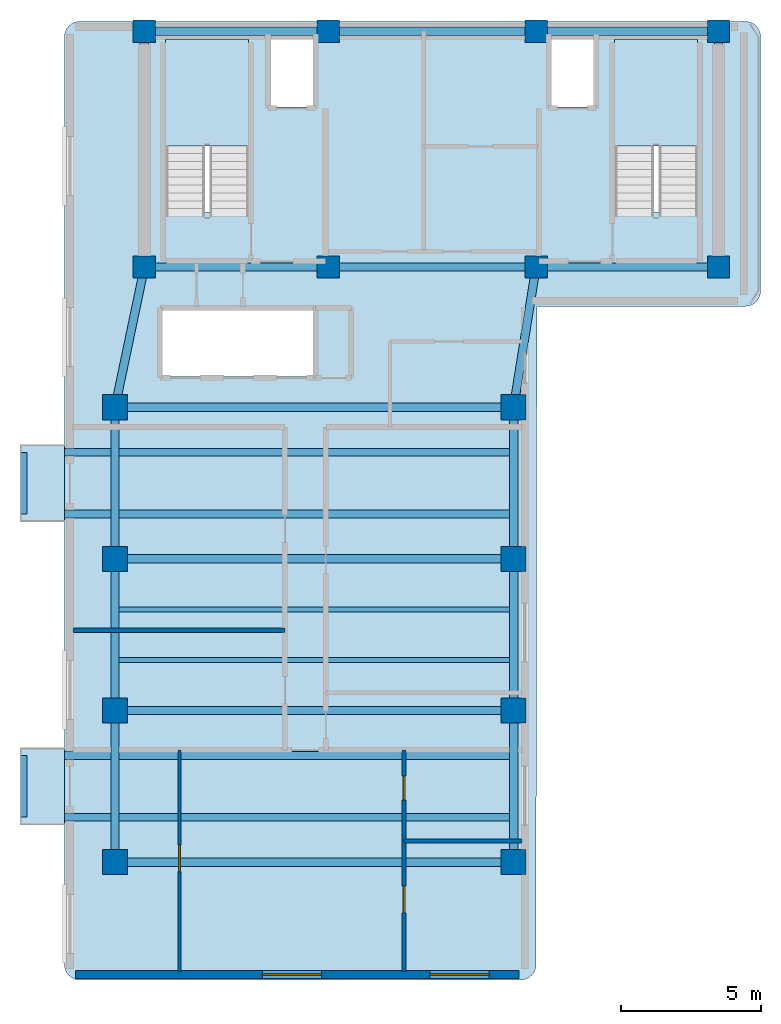
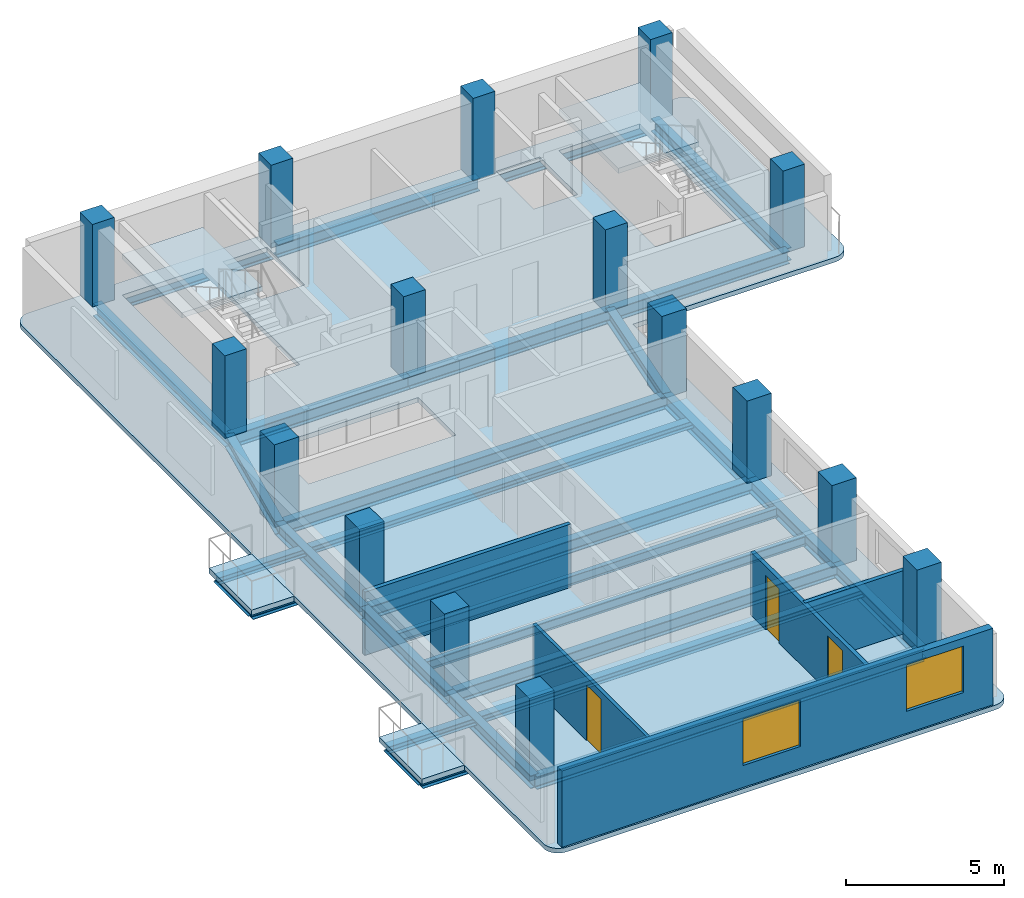
# One storey, part 1 of 5: 28 beams, 16 columns, 5 slabs, 5 walls, 3 doors, 2 windows, 5 openings, 2 elements without a shape of their own.
"""IFC4 building model written with IfcOpenShell, lengths in metres."""

from ifc_helpers import new_model, si_unit, direction, frame, frame_2d, origin, origin_2d, place, context, subcontext, project, spatial, polyline, rectangle, i_section, outline, extrude, material, layer, layer_set, material_profile, profile_set, type_object, element, fill, aggregate, save


model = new_model("IFC4")

# Units and contexts
model_context = context("Model", 3, precision=1e-05, world=origin(), true_north=direction((0.0, 1.0)))
body_context = subcontext(model_context, "Body", "Model", "MODEL_VIEW")
ifc_project = project(units=[si_unit("LENGTHUNIT", "METRE"), si_unit("AREAUNIT", "SQUARE_METRE"), si_unit("VOLUMEUNIT", "CUBIC_METRE"), si_unit("PLANEANGLEUNIT", "RADIAN"), si_unit("MASSUNIT", "GRAM", prefix="KILO")], contexts=[model_context])

# Site, building, storey
site_placement = place(None, origin())
site = spatial("IfcSite", under=ifc_project, at=site_placement, CompositionType="ELEMENT")
building_placement = place(site_placement, origin())
building = spatial("IfcBuilding", under=site, at=building_placement, Name="Kuzgunbayir Cultural Tower", CompositionType="ELEMENT")
storey_placement = place(building_placement, frame((0.0, 0.0, 211.199951171875)))
storey = spatial("IfcBuildingStorey", under=building, at=storey_placement, Name="L62", CompositionType="ELEMENT", Elevation=211.199951171875)

# Columns
ifc_material_1 = material(Name="Concrete C50/60", Category="concrete")
ifc_material_profile_1 = material_profile(ifc_material_1, rectangle(XDim=0.800048828125, YDim=0.800048828125, at=origin_2d()), Name="RC 800x800")
ifc_profile_set_1 = profile_set([ifc_material_profile_1], Name="Concrete C50/60")
column_type_1 = type_object("IfcColumnType", Name="COL-CORE-800", PredefinedType="COLUMN", material=ifc_profile_set_1)
for number, where, z_axis, x_axis, name in (
    (1, (6.449951171875, 33.800048828125, 0.0), (0.0, 0.0, 1.0), (1.0, 0.0, 0.0), "L62 T1 Core Boundary Column CC1-1"),
    (2, (13.0, 33.800048828125, 0.0), (0.0, 0.0, 1.0), (1.0, 0.0, 0.0), "L62 T1 Core Boundary Column CC1-2"),
    (3, (20.39990234375, 33.800048828125, 0.0), (0.0, 0.0, 1.0), (1.0, 0.0, 0.0), "L62 T1 Core Boundary Column CC1-3"),
    (4, (26.89990234375, 33.800048828125, 0.0), (0.0, 0.0, 1.0), (1.0, 0.0, 0.0), "L62 T1 Core Boundary Column CC1-4"),
    (5, (6.449951171875, 42.199951171875, 0.0), (0.0, 0.0, 1.0), (1.0, 0.0, 0.0), "L62 T1 Core Boundary Column CC1-5"),
    (6, (13.0, 42.199951171875, 0.0), (0.0, 0.0, 1.0), (1.0, 0.0, 0.0), "L62 T1 Core Boundary Column CC1-6"),
    (7, (20.39990234375, 42.199951171875, 0.0), (0.0, 0.0, 1.0), (1.0, 0.0, 0.0), "L62 T1 Core Boundary Column CC1-7"),
    (8, (26.89990234375, 42.199951171875, 0.0), (0.0, 0.0, 1.0), (1.0, 0.0, 0.0), "L62 T1 Core Boundary Column CC1-8"),
):
    element("IfcColumn", number, at=place(storey_placement, frame(where, z_axis=z_axis, x_axis=x_axis)), inside=storey, type_object=column_type_1, Name=name, PredefinedType="COLUMN", context=body_context, shape_type="SweptSolid", body=[
        extrude(rectangle(XDim=0.800048828125, YDim=0.800048828125, at=origin_2d()), origin(), (0.0, 0.0, 1.0), 3.199951171875),
    ])
ifc_material_profile_2 = material_profile(ifc_material_1, rectangle(XDim=0.89990234375, YDim=0.89990234375, at=origin_2d()), Name="RC 900x900")
ifc_profile_set_2 = profile_set([ifc_material_profile_2], Name="Concrete C50/60")
column_type_2 = type_object("IfcColumnType", Name="COL-T1-900", PredefinedType="COLUMN", material=ifc_profile_set_2)
for number, where, z_axis, x_axis, name in (
    (9, (5.39990234375, 12.60009765625, 0.0), (0.0, 0.0, 1.0), (1.0, 0.0, 0.0), "L62 Tower 1 Wing A Column T1A-W-1"),
    (10, (19.60009765625, 12.60009765625, 0.0), (0.0, 0.0, 1.0), (1.0, 0.0, 0.0), "L62 Tower 1 Wing A Column T1A-E-1"),
    (11, (5.39990234375, 18.0, 0.0), (0.0, 0.0, 1.0), (1.0, 0.0, 0.0), "L62 Tower 1 Wing A Column T1A-W-2"),
    (12, (19.60009765625, 18.0, 0.0), (0.0, 0.0, 1.0), (1.0, 0.0, 0.0), "L62 Tower 1 Wing A Column T1A-E-2"),
    (13, (5.39990234375, 23.39990234375, 0.0), (0.0, 0.0, 1.0), (1.0, 0.0, 0.0), "L62 Tower 1 Wing A Column T1A-W-3"),
    (14, (19.60009765625, 23.39990234375, 0.0), (0.0, 0.0, 1.0), (1.0, 0.0, 0.0), "L62 Tower 1 Wing A Column T1A-E-3"),
    (15, (5.39990234375, 28.800048828125, 0.0), (0.0, 0.0, 1.0), (1.0, 0.0, 0.0), "L62 Tower 1 Wing A Column T1A-W-4"),
    (16, (19.60009765625, 28.800048828125, 0.0), (0.0, 0.0, 1.0), (1.0, 0.0, 0.0), "L62 Tower 1 Wing A Column T1A-E-4"),
):
    element("IfcColumn", number, at=place(storey_placement, frame(where, z_axis=z_axis, x_axis=x_axis)), inside=storey, type_object=column_type_2, Name=name, PredefinedType="COLUMN", context=body_context, shape_type="SweptSolid", body=[
        extrude(rectangle(XDim=0.89990234375, YDim=0.89990234375, at=origin_2d()), origin(), (0.0, 0.0, 1.0), 3.199951171875),
    ])

# Beams
ifc_material_2 = material(Name="Steel S355J2", Category="steel")
ifc_material_profile_3 = material_profile(ifc_material_2, i_section(OverallWidth=0.280029296875, OverallDepth=0.280029296875, WebThickness=0.010498046875, FlangeThickness=0.01806640625, FilletRadius=0.02392578125, at=origin_2d()), Name="HEB 280")
ifc_profile_set_3 = profile_set([ifc_material_profile_3], Name="Steel S355J2")
beam_type_1 = type_object("IfcBeamType", Name="BM-BAL-HEB280", PredefinedType="BEAM", material=ifc_profile_set_3)
for number, where, z_axis, x_axis, name in (
    (17, (2.159912109375, 14.199951171875, -0.33984375), (1.0, 0.0, 0.0), (0.0, 1.0, 0.0), "L62 Balcony Outrigger Beam BAL-L62-WA1.1"),
    (18, (2.159912109375, 16.39990234375, -0.33984375), (1.0, 0.0, 0.0), (0.0, 1.0, 0.0), "L62 Balcony Outrigger Beam BAL-L62-WA1.2"),
    (19, (2.159912109375, 25.0, -0.33984375), (1.0, 0.0, 0.0), (0.0, 1.0, 0.0), "L62 Balcony Outrigger Beam BAL-L62-WA3.1"),
    (20, (2.159912109375, 27.199951171875, -0.33984375), (1.0, 0.0, 0.0), (0.0, 1.0, 0.0), "L62 Balcony Outrigger Beam BAL-L62-WA3.2"),
):
    element("IfcBeam", number, at=place(storey_placement, frame(where, z_axis=z_axis, x_axis=x_axis)), inside=storey, type_object=beam_type_1, Name=name, PredefinedType="BEAM", context=body_context, shape_type="SweptSolid", body=[
        extrude(i_section(OverallWidth=0.280029296875, OverallDepth=0.280029296875, WebThickness=0.010498046875, FlangeThickness=0.01806640625, FilletRadius=0.02392578125, at=origin_2d()), origin(), (0.0, 0.0, 1.0), 17.440185546875),
    ])
ifc_material_profile_4 = material_profile(ifc_material_2, i_section(OverallWidth=0.199951171875, OverallDepth=0.199951171875, WebThickness=0.009033203125, FlangeThickness=0.014892578125, FilletRadius=0.01806640625, at=origin_2d()), Name="HEB 200")
ifc_profile_set_4 = profile_set([ifc_material_profile_4], Name="Steel S355J2")
beam_type_2 = type_object("IfcBeamType", Name="BM-CAN-HEB200", PredefinedType="BEAM", material=ifc_profile_set_4)
for number, where, z_axis, x_axis, name in (
    (21, (2.159912109375, 14.199951171875, -0.300048828125), (0.0, 1.0, 0.0), (-1.0, 0.0, 0.0), "L62 Balcony Edge Header BAL-L62-WA1"),
    (22, (2.159912109375, 25.0, -0.300048828125), (0.0, 1.0, 0.0), (-1.0, 0.0, 0.0), "L62 Balcony Edge Header BAL-L62-WA3"),
):
    element("IfcBeam", number, at=place(storey_placement, frame(where, z_axis=z_axis, x_axis=x_axis)), inside=storey, type_object=beam_type_2, Name=name, PredefinedType="BEAM", context=body_context, shape_type="SweptSolid", body=[
        extrude(i_section(OverallWidth=0.199951171875, OverallDepth=0.199951171875, WebThickness=0.009033203125, FlangeThickness=0.014892578125, FilletRadius=0.01806640625, at=origin_2d()), origin(), (0.0, 0.0, 1.0), 2.199951171875),
    ])
ifc_material_profile_5 = material_profile(ifc_material_2, i_section(OverallWidth=0.300048828125, OverallDepth=0.5, WebThickness=0.014404296875, FlangeThickness=0.028076171875, FilletRadius=0.027099609375, at=origin_2d()), Name="HEB 500")
ifc_profile_set_5 = profile_set([ifc_material_profile_5], Name="Steel S355J2")
beam_type_3 = type_object("IfcBeamType", Name="BM-EXT-HEB500", PredefinedType="BEAM", material=ifc_profile_set_5)
for number, where, z_axis, x_axis, name in (
    (23, (5.39990234375, 12.60009765625, -0.429931640625), (0.0, 1.0, 0.0), (-1.0, 0.0, 0.0), "L62 Wing A West Girder 1"),
    (24, (19.60009765625, 12.60009765625, -0.429931640625), (0.0, 1.0, 0.0), (-1.0, 0.0, 0.0), "L62 Wing A East Girder 1"),
    (25, (5.39990234375, 18.0, -0.429931640625), (0.0, 1.0, 0.0), (-1.0, 0.0, 0.0), "L62 Wing A West Girder 2"),
    (26, (19.60009765625, 18.0, -0.429931640625), (0.0, 1.0, 0.0), (-1.0, 0.0, 0.0), "L62 Wing A East Girder 2"),
):
    element("IfcBeam", number, at=place(storey_placement, frame(where, z_axis=z_axis, x_axis=x_axis)), inside=storey, type_object=beam_type_3, Name=name, PredefinedType="BEAM", context=body_context, shape_type="SweptSolid", body=[
        extrude(i_section(OverallWidth=0.300048828125, OverallDepth=0.5, WebThickness=0.014404296875, FlangeThickness=0.028076171875, FilletRadius=0.027099609375, at=origin_2d()), origin(), (0.0, 0.0, 1.0), 5.39990234375),
    ])
for number, where, z_axis, x_axis, name in (
    (27, (5.39990234375, 23.39990234375, -0.429931640625), (0.0, 1.0, 0.0), (-1.0, 0.0, 0.0), "L62 Wing A West Girder 3"),
    (28, (19.60009765625, 23.39990234375, -0.429931640625), (0.0, 1.0, 0.0), (-1.0, 0.0, 0.0), "L62 Wing A East Girder 3"),
):
    element("IfcBeam", number, at=place(storey_placement, frame(where, z_axis=z_axis, x_axis=x_axis)), inside=storey, type_object=beam_type_3, Name=name, PredefinedType="BEAM", context=body_context, shape_type="SweptSolid", body=[
        extrude(i_section(OverallWidth=0.300048828125, OverallDepth=0.5, WebThickness=0.014404296875, FlangeThickness=0.028076171875, FilletRadius=0.027099609375, at=origin_2d()), origin(), (0.0, 0.0, 1.0), 5.400146484375),
    ])
ifc_material_profile_6 = material_profile(ifc_material_2, i_section(OverallWidth=0.300048828125, OverallDepth=0.5, WebThickness=0.014404296875, FlangeThickness=0.028076171875, FilletRadius=0.027099609375, at=origin_2d()), Name="HEB 500")
ifc_profile_set_6 = profile_set([ifc_material_profile_6], Name="Steel S355J2")
beam_type_4 = type_object("IfcBeamType", Name="BM-GIR-HEB500", PredefinedType="BEAM", material=ifc_profile_set_6)
beam_1_placement = place(storey_placement, frame((6.449951171875, 33.800048828125, -0.429931640625), z_axis=(1.0, 0.0, 0.0), x_axis=(0.0, 1.0, 0.0)))
element("IfcBeam", 29, at=beam_1_placement, inside=storey, type_object=beam_type_4, Name="L62 Core South Girder 1", PredefinedType="BEAM", context=body_context, shape_type="SweptSolid", body=[
    extrude(i_section(OverallWidth=0.300048828125, OverallDepth=0.5, WebThickness=0.014404296875, FlangeThickness=0.028076171875, FilletRadius=0.027099609375, at=origin_2d()), origin(), (0.0, 0.0, 1.0), 6.550048828125),
])
beam_2_placement = place(storey_placement, frame((13.0, 33.800048828125, -0.429931640625), z_axis=(1.0, 0.0, 0.0), x_axis=(0.0, 1.0, 0.0)))
element("IfcBeam", 30, at=beam_2_placement, inside=storey, type_object=beam_type_4, Name="L62 Core South Girder 2", PredefinedType="BEAM", context=body_context, shape_type="SweptSolid", body=[
    extrude(i_section(OverallWidth=0.300048828125, OverallDepth=0.5, WebThickness=0.014404296875, FlangeThickness=0.028076171875, FilletRadius=0.027099609375, at=origin_2d()), origin(), (0.0, 0.0, 1.0), 7.39990234375),
])
beam_3_placement = place(storey_placement, frame((20.39990234375, 33.800048828125, -0.429931640625), z_axis=(1.0, 0.0, 0.0), x_axis=(0.0, 1.0, 0.0)))
element("IfcBeam", 31, at=beam_3_placement, inside=storey, type_object=beam_type_4, Name="L62 Core South Girder 3", PredefinedType="BEAM", context=body_context, shape_type="SweptSolid", body=[
    extrude(i_section(OverallWidth=0.300048828125, OverallDepth=0.5, WebThickness=0.014404296875, FlangeThickness=0.028076171875, FilletRadius=0.027099609375, at=origin_2d()), origin(), (0.0, 0.0, 1.0), 6.5),
])
beam_4_placement = place(storey_placement, frame((6.449951171875, 42.199951171875, -0.429931640625), z_axis=(1.0, 0.0, 0.0), x_axis=(0.0, 1.0, 0.0)))
element("IfcBeam", 32, at=beam_4_placement, inside=storey, type_object=beam_type_4, Name="L62 Core North Girder 1", PredefinedType="BEAM", context=body_context, shape_type="SweptSolid", body=[
    extrude(i_section(OverallWidth=0.300048828125, OverallDepth=0.5, WebThickness=0.014404296875, FlangeThickness=0.028076171875, FilletRadius=0.027099609375, at=origin_2d()), origin(), (0.0, 0.0, 1.0), 6.550048828125),
])
beam_5_placement = place(storey_placement, frame((13.0, 42.199951171875, -0.429931640625), z_axis=(1.0, 0.0, 0.0), x_axis=(0.0, 1.0, 0.0)))
element("IfcBeam", 33, at=beam_5_placement, inside=storey, type_object=beam_type_4, Name="L62 Core North Girder 2", PredefinedType="BEAM", context=body_context, shape_type="SweptSolid", body=[
    extrude(i_section(OverallWidth=0.300048828125, OverallDepth=0.5, WebThickness=0.014404296875, FlangeThickness=0.028076171875, FilletRadius=0.027099609375, at=origin_2d()), origin(), (0.0, 0.0, 1.0), 7.39990234375),
])
beam_6_placement = place(storey_placement, frame((20.39990234375, 42.199951171875, -0.429931640625), z_axis=(1.0, 0.0, 0.0), x_axis=(0.0, 1.0, 0.0)))
element("IfcBeam", 34, at=beam_6_placement, inside=storey, type_object=beam_type_4, Name="L62 Core North Girder 3", PredefinedType="BEAM", context=body_context, shape_type="SweptSolid", body=[
    extrude(i_section(OverallWidth=0.300048828125, OverallDepth=0.5, WebThickness=0.014404296875, FlangeThickness=0.028076171875, FilletRadius=0.027099609375, at=origin_2d()), origin(), (0.0, 0.0, 1.0), 6.5),
])
for number, where, z_axis, x_axis, name in (
    (35, (6.449951171875, 33.800048828125, -0.429931640625), (0.0, 1.0, 0.0), (-1.0, 0.0, 0.0), "L62 Core West Edge Girder"),
    (36, (26.89990234375, 33.800048828125, -0.429931640625), (0.0, 1.0, 0.0), (-1.0, 0.0, 0.0), "L62 Core East Edge Girder"),
):
    element("IfcBeam", number, at=place(storey_placement, frame(where, z_axis=z_axis, x_axis=x_axis)), inside=storey, type_object=beam_type_4, Name=name, PredefinedType="BEAM", context=body_context, shape_type="SweptSolid", body=[
        extrude(i_section(OverallWidth=0.300048828125, OverallDepth=0.5, WebThickness=0.014404296875, FlangeThickness=0.028076171875, FilletRadius=0.027099609375, at=origin_2d()), origin(), (0.0, 0.0, 1.0), 8.39990234375),
    ])
for number, where, z_axis, x_axis, name in (
    (37, (5.39990234375, 12.60009765625, -0.429931640625), (1.0, 0.0, 0.0), (0.0, 1.0, 0.0), "L62 Wing A Transverse Girder 1"),
    (38, (5.39990234375, 18.0, -0.429931640625), (1.0, 0.0, 0.0), (0.0, 1.0, 0.0), "L62 Wing A Transverse Girder 2"),
    (39, (5.39990234375, 23.39990234375, -0.429931640625), (1.0, 0.0, 0.0), (0.0, 1.0, 0.0), "L62 Wing A Transverse Girder 3"),
    (40, (5.39990234375, 28.800048828125, -0.429931640625), (1.0, 0.0, 0.0), (0.0, 1.0, 0.0), "L62 Wing A Transverse Girder 4"),
):
    element("IfcBeam", number, at=place(storey_placement, frame(where, z_axis=z_axis, x_axis=x_axis)), inside=storey, type_object=beam_type_4, Name=name, PredefinedType="BEAM", context=body_context, shape_type="SweptSolid", body=[
        extrude(i_section(OverallWidth=0.300048828125, OverallDepth=0.5, WebThickness=0.014404296875, FlangeThickness=0.028076171875, FilletRadius=0.027099609375, at=origin_2d()), origin(), (0.0, 0.0, 1.0), 14.2001953125),
    ])
beam_7_placement = place(storey_placement, frame((5.39990234375, 28.800048828125, -0.429931640625), z_axis=(0.205526387753, 0.978651574329, 0.0), x_axis=(-0.978651574329, 0.205526387753, 0.0)))
element("IfcBeam", 41, at=beam_7_placement, inside=storey, type_object=beam_type_4, Name="L62 Wing A West Core Floor Girder", PredefinedType="BEAM", context=body_context, shape_type="SweptSolid", body=[
    extrude(i_section(OverallWidth=0.300048828125, OverallDepth=0.5, WebThickness=0.014404296875, FlangeThickness=0.028076171875, FilletRadius=0.027099609375, at=origin_2d()), origin(), (0.0, 0.0, 1.0), 5.109130859375),
])
beam_8_placement = place(storey_placement, frame((19.60009765625, 28.800048828125, -0.429931640625), z_axis=(0.157952891656, 0.987446648694, 0.0), x_axis=(-0.987446648694, 0.157952891656, 0.0)))
element("IfcBeam", 42, at=beam_8_placement, inside=storey, type_object=beam_type_4, Name="L62 Wing A East Core Floor Girder", PredefinedType="BEAM", context=body_context, shape_type="SweptSolid", body=[
    extrude(i_section(OverallWidth=0.300048828125, OverallDepth=0.5, WebThickness=0.014404296875, FlangeThickness=0.028076171875, FilletRadius=0.027099609375, at=origin_2d()), origin(), (0.0, 0.0, 1.0), 5.0634765625),
])
ifc_material_profile_7 = material_profile(ifc_material_2, i_section(OverallWidth=0.169921875, OverallDepth=0.360107421875, WebThickness=0.008056640625, FlangeThickness=0.0126953125, FilletRadius=0.01806640625, at=origin_2d()), Name="IPE 360")
ifc_profile_set_7 = profile_set([ifc_material_profile_7], Name="Steel S355J2")
beam_type_5 = type_object("IfcBeamType", Name="BM-JST-IPE360", PredefinedType="JOIST", material=ifc_profile_set_7)
for number, where, z_axis, x_axis, name in (
    (43, (5.550048828125, 19.800048828125, -0.35986328125), (1.0, 0.0, 0.0), (0.0, 1.0, 0.0), "L62 Wing A Secondary Joist 3"),
    (44, (5.550048828125, 21.60009765625, -0.35986328125), (1.0, 0.0, 0.0), (0.0, 1.0, 0.0), "L62 Wing A Secondary Joist 4"),
):
    element("IfcBeam", number, at=place(storey_placement, frame(where, z_axis=z_axis, x_axis=x_axis)), inside=storey, type_object=beam_type_5, Name=name, PredefinedType="JOIST", context=body_context, shape_type="SweptSolid", body=[
        extrude(i_section(OverallWidth=0.169921875, OverallDepth=0.360107421875, WebThickness=0.008056640625, FlangeThickness=0.0126953125, FilletRadius=0.01806640625, at=origin_2d()), origin(), (0.0, 0.0, 1.0), 13.89990234375),
    ])

# Slabs
ifc_material_3 = material(Name="Concrete C40/50", Category="concrete")
ifc_layer_1 = layer(ifc_material_3, 0.199951171875)
ifc_layer_set_1 = layer_set([ifc_layer_1], Name="Concrete C40/50")
slab_type_1 = type_object("IfcSlabType", Name="SLB-BAL-STONE", PredefinedType="FLOOR", material=ifc_layer_set_1)
slab_1_placement = place(storey_placement, frame((0.0, 0.0, -0.199951171875)))
element("IfcSlab", 45, at=slab_1_placement, inside=storey, type_object=slab_type_1, Name="L62 Projecting Limestone Balcony BAL-L62-WA1", PredefinedType="FLOOR", context=body_context, shape_type="SweptSolid", body=[
    extrude(outline(polyline([(2.0400390625, 13.949951171875), (3.60009765625, 13.949951171875), (3.60009765625, 16.64990234375), (2.0400390625, 16.64990234375), (2.0400390625, 13.949951171875)])), origin(), (0.0, 0.0, 1.0), 0.199951171875),
])
slab_2_placement = place(storey_placement, frame((0.0, 0.0, -0.199951171875)))
element("IfcSlab", 46, at=slab_2_placement, inside=storey, type_object=slab_type_1, Name="L62 Projecting Limestone Balcony BAL-L62-WA3", PredefinedType="FLOOR", context=body_context, shape_type="SweptSolid", body=[
    extrude(outline(polyline([(2.0400390625, 24.75), (3.60009765625, 24.75), (3.60009765625, 27.449951171875), (2.0400390625, 27.449951171875), (2.0400390625, 24.75)])), origin(), (0.0, 0.0, 1.0), 0.199951171875),
])

# Stair, slab
stair_type = type_object("IfcStairType", Name="STR-EXIT-CORE", PredefinedType="HALF_TURN_STAIR", material=ifc_material_3)
stair_1_placement = place(storey_placement, origin())
stair_1 = element("IfcStair", 47, at=stair_1_placement, inside=storey, type_object=stair_type, Name="L62 ST-1", PredefinedType="HALF_TURN_STAIR")
ifc_layer_2 = layer(ifc_material_3, 0.179931640625)
ifc_layer_set_2 = layer_set([ifc_layer_2], Name="Concrete C40/50")
slab_type_2 = type_object("IfcSlabType", Name="SLB-LANDING-180", PredefinedType="LANDING", material=ifc_layer_set_2)
slab_3_placement = place(storey_placement, frame((0.0, 0.0, 1.400146484375)))
slab_3 = element("IfcSlab", 48, at=slab_3_placement, type_object=slab_type_2, Name="ST-1 landing 1", PredefinedType="LANDING", context=body_context, shape_type="SweptSolid", body=[
    extrude(outline(polyline([(10.159912109375, 38.1201171875), (10.159912109375, 41.89990234375), (7.199951171875, 41.89990234375), (7.199951171875, 38.1201171875), (10.159912109375, 38.1201171875)])), origin(), (0.0, 0.0, 1.0), 0.199951171875),
])
aggregate(stair_1, [slab_3])

stair_2_placement = place(storey_placement, origin())
stair_2 = element("IfcStair", 49, at=stair_2_placement, inside=storey, type_object=stair_type, Name="L62 ST-2", PredefinedType="HALF_TURN_STAIR")
slab_4_placement = place(storey_placement, frame((0.0, 0.0, 1.400146484375)))
slab_4 = element("IfcSlab", 50, at=slab_4_placement, type_object=slab_type_2, Name="ST-2 landing 1", PredefinedType="LANDING", context=body_context, shape_type="SweptSolid", body=[
    extrude(outline(polyline([(26.159912109375, 38.1201171875), (26.159912109375, 41.89990234375), (23.199951171875, 41.89990234375), (23.199951171875, 38.1201171875), (26.159912109375, 38.1201171875)])), origin(), (0.0, 0.0, 1.0), 0.199951171875),
])
aggregate(stair_2, [slab_4])

# Slab
ifc_layer_3 = layer(ifc_material_3, 0.179931640625)
ifc_layer_set_3 = layer_set([ifc_layer_3], Name="Concrete C40/50")
slab_type_3 = type_object("IfcSlabType", Name="SLB-TYP-180", PredefinedType="FLOOR", material=ifc_layer_set_3)
slab_5_placement = place(storey_placement, frame((0.0, 0.0, -0.179931640625)))
element("IfcSlab", 51, at=slab_5_placement, inside=storey, type_object=slab_type_3, Name="L62 Tower 1 Floor Slab T1-MAIN", PredefinedType="FLOOR", context=body_context, shape_type="SweptSolid", body=[
    extrude(outline(polyline([(20.39990234375, 8.949951171875), (20.389892578125, 8.840087890625), (20.360107421875, 8.739990234375), (20.31005859375, 8.639892578125), (20.239990234375, 8.56005859375), (20.159912109375, 8.489990234375), (20.06005859375, 8.43994140625), (19.9599609375, 8.409912109375), (19.85009765625, 8.39990234375), (4.14990234375, 8.39990234375), (4.0400390625, 8.409912109375), (3.93994140625, 8.43994140625), (3.840087890625, 8.489990234375), (3.760009765625, 8.56005859375), (3.68994140625, 8.639892578125), (3.639892578125, 8.739990234375), (3.610107421875, 8.840087890625), (3.60009765625, 8.949951171875), (3.60009765625, 42.0), (3.610107421875, 42.110107421875), (3.639892578125, 42.2099609375), (3.68994140625, 42.31005859375), (3.760009765625, 42.389892578125), (3.840087890625, 42.4599609375), (3.93994140625, 42.510009765625), (4.0400390625, 42.5400390625), (4.14990234375, 42.550048828125), (27.85009765625, 42.550048828125), (27.9599609375, 42.5400390625), (28.06005859375, 42.510009765625), (28.159912109375, 42.4599609375), (28.239990234375, 42.389892578125), (28.31005859375, 42.31005859375), (28.360107421875, 42.2099609375), (28.389892578125, 42.110107421875), (28.39990234375, 42.0), (28.39990234375, 32.949951171875), (28.389892578125, 32.840087890625), (28.360107421875, 32.739990234375), (28.31005859375, 32.639892578125), (28.239990234375, 32.56005859375), (28.159912109375, 32.489990234375), (28.06005859375, 32.43994140625), (27.9599609375, 32.409912109375), (27.85009765625, 32.39990234375), (20.429931640625, 32.39990234375), (20.39990234375, 8.949951171875)]), holes=[polyline([(7.199951171875, 35.760009765625), (7.199951171875, 41.89990234375), (10.159912109375, 41.89990234375), (10.159912109375, 35.760009765625), (7.199951171875, 35.760009765625)]), polyline([(23.199951171875, 35.760009765625), (23.199951171875, 41.89990234375), (26.159912109375, 41.89990234375), (26.159912109375, 35.760009765625), (23.199951171875, 35.760009765625)]), polyline([(7.10009765625, 29.89990234375), (7.10009765625, 32.300048828125), (12.5, 32.300048828125), (12.5, 29.89990234375), (7.10009765625, 29.89990234375)]), polyline([(10.89990234375, 39.5), (10.89990234375, 41.89990234375), (12.5, 41.89990234375), (12.5, 39.5), (10.89990234375, 39.5)]), polyline([(20.89990234375, 39.5), (20.89990234375, 41.89990234375), (22.5, 41.89990234375), (22.5, 39.5), (20.89990234375, 39.5)])]), origin(), (0.0, 0.0, 1.0), 0.179931640625),
])

# Wall, openings, windows
ifc_material_4 = material(Name="Anatolian Cream Limestone", Category="masonry")
ifc_layer_4 = layer(ifc_material_4, 0.280029296875)
ifc_layer_set_4 = layer_set([ifc_layer_4], Name="Anatolian Cream Limestone")
wall_type_1 = type_object("IfcWallType", Name="WAL-EXT-STONE-280", PredefinedType="STANDARD", material=ifc_layer_set_4)
wall_1_placement = place(storey_placement, frame((4.0, 8.60009765625, 0.0), z_axis=(0.0, 0.0, 1.0), x_axis=(1.0, 0.0, 0.0)))
wall_1 = element("IfcWall", 52, at=wall_1_placement, inside=storey, type_object=wall_type_1, Name="L62 Wing A South Limestone Wall", PredefinedType="STANDARD", context=body_context, shape_type="SweptSolid", body=[
    extrude(rectangle(XDim=15.800048828125, YDim=0.280029296875, at=frame_2d((7.89990234375, 0.0))), origin(), (0.0, 0.0, 1.0), 2.9599609375),
])
opening_1_placement = place(wall_1_placement, frame((6.64990234375, 0.0, 0.85009765625)))
opening_1 = element("IfcOpeningElement", 53, at=opening_1_placement, cuts=wall_1, Name="Opening WR-21", PredefinedType="OPENING", context=body_context, shape_type="SweptSolid", body=[
    extrude(rectangle(XDim=2.10009765625, YDim=1.800048828125, at=frame_2d((1.050048828125, 0.89990234375))), frame((0.0, 0.14990234375, 0.0), z_axis=(0.0, -1.0, 0.0), x_axis=(1.0, 0.0, 0.0)), (0.0, 0.0, 1.0), 0.300048828125),
])
opening_2_placement = place(wall_1_placement, frame((12.6298828125, 0.0, 0.85009765625)))
opening_2 = element("IfcOpeningElement", 54, at=opening_2_placement, cuts=wall_1, Name="Opening WR-21", PredefinedType="OPENING", context=body_context, shape_type="SweptSolid", body=[
    extrude(rectangle(XDim=2.10009765625, YDim=1.800048828125, at=frame_2d((1.050048828125, 0.89990234375))), frame((0.0, 0.14990234375, 0.0), z_axis=(0.0, -1.0, 0.0), x_axis=(1.0, 0.0, 0.0)), (0.0, 0.0, 1.0), 0.300048828125),
])
ifc_material_5 = material(Name="Solar-Control Triple Glazing", Category="glass")
window_type = type_object("IfcWindowType", Name="WIN-RESID-21", PartitioningType="SINGLE_PANEL", PredefinedType="WINDOW", material=ifc_material_5)
window_1_placement = place(opening_1_placement, origin())
window_1 = element("IfcWindow", 55, at=window_1_placement, inside=storey, type_object=window_type, Name="L62 WAS Facade Window 2", OverallHeight=1.800048828125, OverallWidth=2.10009765625, PartitioningType="SINGLE_PANEL", PredefinedType="WINDOW", context=body_context, shape_type="SweptSolid", body=[
    extrude(rectangle(XDim=2.10009765625, YDim=1.800048828125, at=frame_2d((1.050048828125, 0.89990234375))), frame((0.0, 0.030029296875, 0.0), z_axis=(0.0, -1.0, 0.0), x_axis=(1.0, 0.0, 0.0)), (0.0, 0.0, 1.0), 0.06005859375),
])
fill(opening_1, window_1)
window_2_placement = place(opening_2_placement, origin())
window_2 = element("IfcWindow", 56, at=window_2_placement, inside=storey, type_object=window_type, Name="L62 WAS Facade Window 3", OverallHeight=1.800048828125, OverallWidth=2.10009765625, PartitioningType="SINGLE_PANEL", PredefinedType="WINDOW", context=body_context, shape_type="SweptSolid", body=[
    extrude(rectangle(XDim=2.10009765625, YDim=1.800048828125, at=frame_2d((1.050048828125, 0.89990234375))), frame((0.0, 0.030029296875, 0.0), z_axis=(0.0, -1.0, 0.0), x_axis=(1.0, 0.0, 0.0)), (0.0, 0.0, 1.0), 0.06005859375),
])
fill(opening_2, window_2)

# Wall
ifc_material_6 = material(Name="Acoustic Double-Stud Drywall", Category="gypsum")
ifc_layer_5 = layer(ifc_material_6, 0.14990234375)
ifc_layer_set_5 = layer_set([ifc_layer_5], Name="Acoustic Double-Stud Drywall")
wall_type_2 = type_object("IfcWallType", Name="WAL-PART-ACOUSTIC-150", PredefinedType="PARTITIONING", material=ifc_layer_set_5)
wall_2_placement = place(storey_placement, frame((3.89990234375, 20.860107421875, 0.0), z_axis=(0.0, 0.0, 1.0), x_axis=(1.0, 0.0, 0.0)))
element("IfcWall", 57, at=wall_2_placement, inside=storey, type_object=wall_type_2, Name="L62 West Study Partition 1", PredefinedType="PARTITIONING", context=body_context, shape_type="SweptSolid", body=[
    extrude(rectangle(XDim=7.550048828125, YDim=0.14990234375, at=frame_2d((3.77490234375, 0.0))), origin(), (0.0, 0.0, 1.0), 2.449951171875),
])

# Wall, opening, door
ifc_material_7 = material(Name="Framed Gypsum Partition", Category="gypsum")
ifc_layer_6 = layer(ifc_material_7, 0.1201171875)
ifc_layer_set_6 = layer_set([ifc_layer_6], Name="Framed Gypsum Partition")
wall_type_3 = type_object("IfcWallType", Name="WAL-PART-INT-120", PredefinedType="PARTITIONING", material=ifc_layer_set_6)
wall_3_placement = place(storey_placement, frame((7.699951171875, 8.699951171875, 0.0), z_axis=(0.0, 0.0, 1.0), x_axis=(0.0, 1.0, 0.0)))
wall_3 = element("IfcWall", 58, at=wall_3_placement, inside=storey, type_object=wall_type_3, Name="L62 Flat A West Bedroom Wall", PredefinedType="PARTITIONING", context=body_context, shape_type="SweptSolid", body=[
    extrude(rectangle(XDim=7.900146484375, YDim=0.1201171875, at=frame_2d((3.9501953125, 0.0))), origin(), (0.0, 0.0, 1.0), 2.449951171875),
])
opening_3_placement = place(wall_3_placement, frame((3.56005859375, 0.0, 0.0)))
opening_3 = element("IfcOpeningElement", 59, at=opening_3_placement, cuts=wall_3, Name="Opening DI-90", PredefinedType="OPENING", context=body_context, shape_type="SweptSolid", body=[
    extrude(rectangle(XDim=0.949951171875, YDim=2.14990234375, at=frame_2d((0.47509765625, 1.074951171875))), frame((0.0, 0.070068359375, 0.0), z_axis=(0.0, -1.0, 0.0), x_axis=(1.0, 0.0, 0.0)), (0.0, 0.0, 1.0), 0.14013671875),
])
ifc_material_8 = material(Name="Veneered Oak Single Leaf", Category="wood")
door_type_1 = type_object("IfcDoorType", Name="DR-INT-90", OperationType="NOTDEFINED", PredefinedType="DOOR", material=ifc_material_8)
door_1_placement = place(opening_3_placement, origin())
door_1 = element("IfcDoor", 60, at=door_1_placement, inside=storey, type_object=door_type_1, Name="L62 Apartment A Bedroom Door", OperationType="SINGLE_SWING_RIGHT", OverallHeight=2.14990234375, OverallWidth=0.949951171875, PredefinedType="DOOR", context=body_context, shape_type="SweptSolid", body=[
    extrude(rectangle(XDim=0.949951171875, YDim=2.14990234375, at=frame_2d((0.47509765625, 1.074951171875))), frame((0.0, 0.02490234375, 0.0), z_axis=(0.0, -1.0, 0.0), x_axis=(1.0, 0.0, 0.0)), (0.0, 0.0, 1.0), 0.050048828125),
])
fill(opening_3, door_1)

# Wall, openings, doors
ifc_material_9 = material(Name="Moisture-Resistant Tile Partition", Category="gypsum")
ifc_layer_7 = layer(ifc_material_9, 0.14990234375)
ifc_layer_set_7 = layer_set([ifc_layer_7], Name="Moisture-Resistant Tile Partition")
wall_type_4 = type_object("IfcWallType", Name="WAL-PART-WET-150", PredefinedType="PARTITIONING", material=ifc_layer_set_7)
wall_4_placement = place(storey_placement, frame((15.699951171875, 8.699951171875, 0.0), z_axis=(0.0, 0.0, 1.0), x_axis=(0.0, 1.0, 0.0)))
wall_4 = element("IfcWall", 61, at=wall_4_placement, inside=storey, type_object=wall_type_4, Name="L62 Flat A East Service Wall", PredefinedType="PARTITIONING", context=body_context, shape_type="SweptSolid", body=[
    extrude(rectangle(XDim=7.900146484375, YDim=0.14990234375, at=frame_2d((3.9501953125, 0.0))), origin(), (0.0, 0.0, 1.0), 2.449951171875),
])
opening_4_placement = place(wall_4_placement, frame((2.090087890625, 0.0, 0.0)))
opening_4 = element("IfcOpeningElement", 62, at=opening_4_placement, cuts=wall_4, Name="Opening DI-90", PredefinedType="OPENING", context=body_context, shape_type="SweptSolid", body=[
    extrude(rectangle(XDim=0.949951171875, YDim=2.14990234375, at=frame_2d((0.47509765625, 1.074951171875))), frame((0.0, 0.0849609375, 0.0), z_axis=(0.0, -1.0, 0.0), x_axis=(1.0, 0.0, 0.0)), (0.0, 0.0, 1.0), 0.169921875),
])
opening_5_placement = place(wall_4_placement, frame((6.110107421875, 0.0, 0.0)))
opening_5 = element("IfcOpeningElement", 63, at=opening_5_placement, cuts=wall_4, Name="Opening DW-85", PredefinedType="OPENING", context=body_context, shape_type="SweptSolid", body=[
    extrude(rectangle(XDim=0.85009765625, YDim=2.10009765625, at=frame_2d((0.425048828125, 1.050048828125))), frame((0.0, 0.0849609375, 0.0), z_axis=(0.0, -1.0, 0.0), x_axis=(1.0, 0.0, 0.0)), (0.0, 0.0, 1.0), 0.169921875),
])
door_2_placement = place(opening_4_placement, origin())
door_2 = element("IfcDoor", 64, at=door_2_placement, inside=storey, type_object=door_type_1, Name="L62 Apartment A Kitchen Door", OperationType="SINGLE_SWING_LEFT", OverallHeight=2.14990234375, OverallWidth=0.949951171875, PredefinedType="DOOR", context=body_context, shape_type="SweptSolid", body=[
    extrude(rectangle(XDim=0.949951171875, YDim=2.14990234375, at=frame_2d((0.47509765625, 1.074951171875))), frame((0.0, 0.02490234375, 0.0), z_axis=(0.0, -1.0, 0.0), x_axis=(1.0, 0.0, 0.0)), (0.0, 0.0, 1.0), 0.050048828125),
])
fill(opening_4, door_2)
ifc_material_10 = material(Name="Laminate Moisture-Resistant Leaf", Category="wood")
door_type_2 = type_object("IfcDoorType", Name="DR-WET-85", OperationType="NOTDEFINED", PredefinedType="DOOR", material=ifc_material_10)
door_3_placement = place(opening_5_placement, origin())
door_3 = element("IfcDoor", 65, at=door_3_placement, inside=storey, type_object=door_type_2, Name="L62 Apartment A Bathroom Door", OperationType="SINGLE_SWING_RIGHT", OverallHeight=2.10009765625, OverallWidth=0.85009765625, PredefinedType="DOOR", context=body_context, shape_type="SweptSolid", body=[
    extrude(rectangle(XDim=0.85009765625, YDim=2.10009765625, at=frame_2d((0.425048828125, 1.050048828125))), frame((0.0, 0.02490234375, 0.0), z_axis=(0.0, -1.0, 0.0), x_axis=(1.0, 0.0, 0.0)), (0.0, 0.0, 1.0), 0.050048828125),
])
fill(opening_5, door_3)

# Wall
wall_5_placement = place(storey_placement, frame((15.699951171875, 13.35009765625, 0.0), z_axis=(0.0, 0.0, 1.0), x_axis=(1.0, 0.0, 0.0)))
element("IfcWall", 66, at=wall_5_placement, inside=storey, type_object=wall_type_4, Name="L62 Flat A Bath Kitchen Divider", PredefinedType="PARTITIONING", context=body_context, shape_type="SweptSolid", body=[
    extrude(rectangle(XDim=4.199951171875, YDim=0.14990234375, at=frame_2d((2.10009765625, 0.0))), origin(), (0.0, 0.0, 1.0), 2.449951171875),
])

save(model, "model.ifc")
